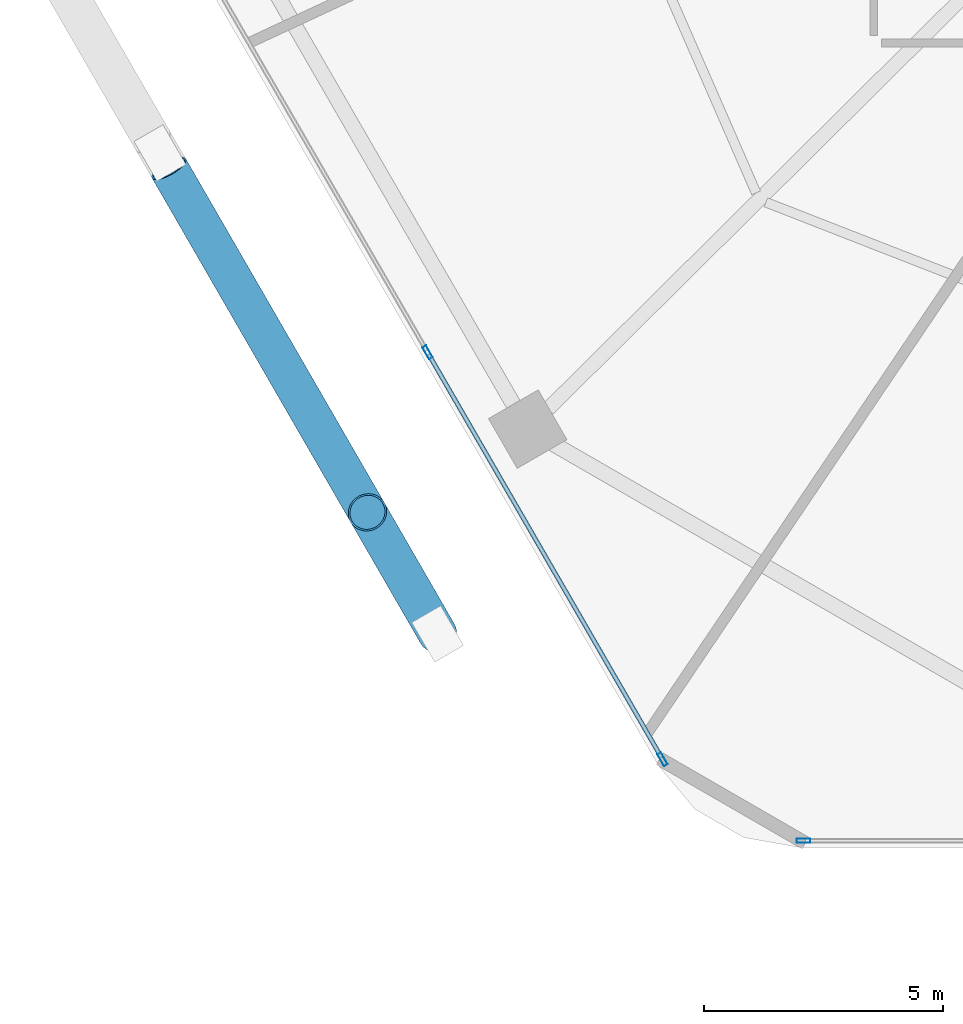
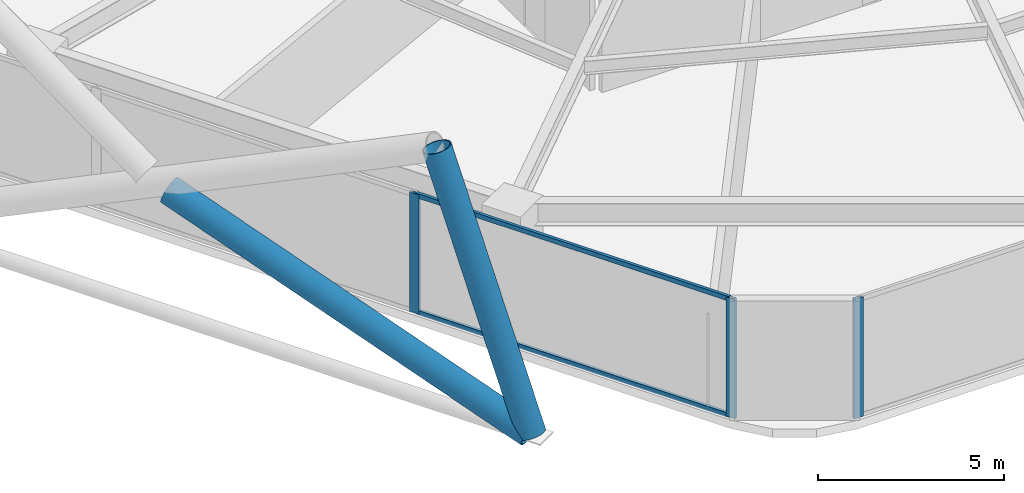
# One storey, part 2 of 29: 7 members, 2 elements without a shape of their own.
"""IFC4 building model written with IfcOpenShell, lengths in metres."""

from ifc_helpers import new_model, si_unit, direction, frame, origin, origin_2d, place, context, subcontext, project, spatial, hollow_rectangle, hollow_circle, extrude, material, material_profile, profile_set, type_object, element, aggregate, save


model = new_model("IFC4")

# Units and contexts
model_context = context("Model", 3, precision=1e-05, world=origin(), true_north=direction((0.0, 1.0)))
body_context = subcontext(model_context, "Body", "Model", "MODEL_VIEW")
ifc_project = project(units=[si_unit("LENGTHUNIT", "METRE"), si_unit("AREAUNIT", "SQUARE_METRE"), si_unit("VOLUMEUNIT", "CUBIC_METRE"), si_unit("PLANEANGLEUNIT", "RADIAN"), si_unit("MASSUNIT", "GRAM", prefix="KILO")], contexts=[model_context])

# Site, building, storey
site_placement = place(None, origin())
site = spatial("IfcSite", under=ifc_project, at=site_placement, CompositionType="ELEMENT")
building_placement = place(site_placement, origin())
building = spatial("IfcBuilding", under=site, at=building_placement, Name="Zuhravey Tower", CompositionType="ELEMENT")
storey_placement = place(building_placement, frame((0.0, 0.0, 41.39990234375)))
storey = spatial("IfcBuildingStorey", under=building, at=storey_placement, Name="L10", CompositionType="ELEMENT", Elevation=41.39990234375)

# Curtain wall, member
ifc_material_1 = material(Name="Thermally broken anodised aluminium", Category="aluminium")
curtain_wall_type = type_object("IfcCurtainWallType", Name="School Low-E Unitised Curtain Wall CW1", PredefinedType="NOTDEFINED", material=ifc_material_1)
curtain_wall_1_placement = place(storey_placement, origin())
curtain_wall_1 = element("IfcCurtainWall", 1, at=curtain_wall_1_placement, inside=storey, type_object=curtain_wall_type, Name="L10 CW1 CW-L10-F5-1", PredefinedType="NOTDEFINED")
ifc_material_2 = material(Name="Anodised aluminium", Category="aluminium")
ifc_material_profile_1 = material_profile(ifc_material_2, hollow_rectangle(XDim=0.090087890625, YDim=0.284912109375, WallThickness=0.0048828125, at=origin_2d()), Name="ALU-RHS-90x285x5")
ifc_profile_set_1 = profile_set([ifc_material_profile_1], Name="Anodised aluminium")
member_type_1 = type_object("IfcMemberType", Name="Curtain-Wall Mullion 90x180", PredefinedType="MULLION", material=ifc_profile_set_1)
member_1_placement = place(storey_placement, frame((21.24560546875, 3.04150390625, 0.0), z_axis=(0.0, 0.0, 1.0), x_axis=(0.0, -1.0, 0.0)))
member_1 = element("IfcMember", 2, at=member_1_placement, type_object=member_type_1, Name="CW1 mullion 4", PredefinedType="MULLION", context=body_context, shape_type="SweptSolid", body=[
    extrude(hollow_rectangle(XDim=0.090087890625, YDim=0.284912109375, WallThickness=0.0048828125, at=origin_2d()), origin(), (0.0, 0.0, 1.0), 3.920166015625),
])
aggregate(curtain_wall_1, [member_1])

# Curtain wall, members
curtain_wall_2_placement = place(storey_placement, origin())
curtain_wall_2 = element("IfcCurtainWall", 3, at=curtain_wall_2_placement, inside=storey, type_object=curtain_wall_type, Name="L10 CW1 CW-L10-F4-1", PredefinedType="NOTDEFINED")
member_2_placement = place(storey_placement, frame((18.298583984375, 4.742919921875, 0.0), z_axis=(0.0, 0.0, 1.0), x_axis=(-0.86602552265, -0.499999794119, 0.0)))
member_2 = element("IfcMember", 4, at=member_2_placement, type_object=member_type_1, Name="CW1 mullion 1", PredefinedType="MULLION", context=body_context, shape_type="SweptSolid", body=[
    extrude(hollow_rectangle(XDim=0.090087890625, YDim=0.284912109375, WallThickness=0.0048828125, at=origin_2d()), origin(), (0.0, 0.0, 1.0), 3.920166015625),
])
member_3_placement = place(storey_placement, frame((13.387939453125, 13.24853515625, 0.0), z_axis=(0.0, 0.0, 1.0), x_axis=(-0.86602552265, -0.499999794119, 0.0)))
member_3 = element("IfcMember", 5, at=member_3_placement, type_object=member_type_1, Name="CW1 mullion 2", PredefinedType="MULLION", context=body_context, shape_type="SweptSolid", body=[
    extrude(hollow_rectangle(XDim=0.090087890625, YDim=0.284912109375, WallThickness=0.0048828125, at=origin_2d()), origin(), (0.0, 0.0, 1.0), 3.920166015625),
])
ifc_material_profile_2 = material_profile(ifc_material_2, hollow_rectangle(XDim=0.090087890625, YDim=0.14990234375, WallThickness=0.0048828125, at=origin_2d()), Name="ALU-RHS-90x150x5")
ifc_profile_set_2 = profile_set([ifc_material_profile_2], Name="Anodised aluminium")
member_type_2 = type_object("IfcMemberType", Name="Curtain-Wall Transom 90x150", PredefinedType="USERDEFINED", material=ifc_profile_set_2)
member_4_placement = place(storey_placement, frame((18.27587890625, 4.781982421875, 0.045166015625), z_axis=(-0.499989576763, 0.86603142156, 0.0), x_axis=(-0.86603142156, -0.499989576763, 0.0)))
member_4 = element("IfcMember", 6, at=member_4_placement, type_object=member_type_2, Name="CW1 transom 1.1", ObjectType="TRANSOM", PredefinedType="USERDEFINED", context=body_context, shape_type="SweptSolid", body=[
    extrude(hollow_rectangle(XDim=0.090087890625, YDim=0.14990234375, WallThickness=0.0048828125, at=origin_2d()), origin(), (0.0, 0.0, 1.0), 9.731201171875),
])
member_5_placement = place(storey_placement, frame((18.27587890625, 4.781982421875, 3.875), z_axis=(-0.499989576763, 0.86603142156, 0.0), x_axis=(-0.86603142156, -0.499989576763, 0.0)))
member_5 = element("IfcMember", 7, at=member_5_placement, type_object=member_type_2, Name="CW1 transom 1.2", ObjectType="TRANSOM", PredefinedType="USERDEFINED", context=body_context, shape_type="SweptSolid", body=[
    extrude(hollow_rectangle(XDim=0.090087890625, YDim=0.14990234375, WallThickness=0.0048828125, at=origin_2d()), origin(), (0.0, 0.0, 1.0), 9.731201171875),
])
aggregate(curtain_wall_2, [member_2, member_3, member_4, member_5])

# Members
ifc_material_3 = material(Name="Steel SM460", Category="steel")
ifc_material_profile_3 = material_profile(ifc_material_3, hollow_circle(Radius=0.406494140625, WallThickness=0.035888671875, at=origin_2d()), Name="CHS-812.8x36")
ifc_profile_set_3 = profile_set([ifc_material_profile_3], Name="Steel SM460")
member_type_3 = type_object("IfcMemberType", Name="Exoskeleton Zone 1 Diagrid CHS813x36", PredefinedType="BRACE", material=ifc_profile_set_3)
member_6_placement = place(storey_placement, frame((13.595458984375, 7.36865234375, -0.471923828125), z_axis=(-0.165307317227, 0.286358046605, 0.943754501984), x_axis=(-0.866053660865, -0.499951054106, 0.0)))
element("IfcMember", 8, at=member_6_placement, inside=storey, type_object=member_type_3, Name="L10 Face 4 Diagrid Brace 4", PredefinedType="BRACE", context=body_context, shape_type="SweptSolid", body=[
    extrude(hollow_circle(Radius=0.406494140625, WallThickness=0.035888671875, at=origin_2d()), origin(), (0.0, 0.0, 1.0), 8.85400390625),
])
member_7_placement = place(storey_placement, frame((13.57568359375, 7.403076171875, -0.476806640625), z_axis=(-0.470165522703, 0.814361240323, 0.340235435427), x_axis=(-0.866028239721, -0.499995087982, 0.0)))
element("IfcMember", 9, at=member_7_placement, inside=storey, type_object=member_type_3, Name="L10 Face 4 Split Diagrid Brace 3A", PredefinedType="BRACE", context=body_context, shape_type="SweptSolid", body=[
    extrude(hollow_circle(Radius=0.406494140625, WallThickness=0.035888671875, at=origin_2d()), origin(), (0.0, 0.0, 1.0), 11.89794921875),
])

save(model, "model.ifc")
